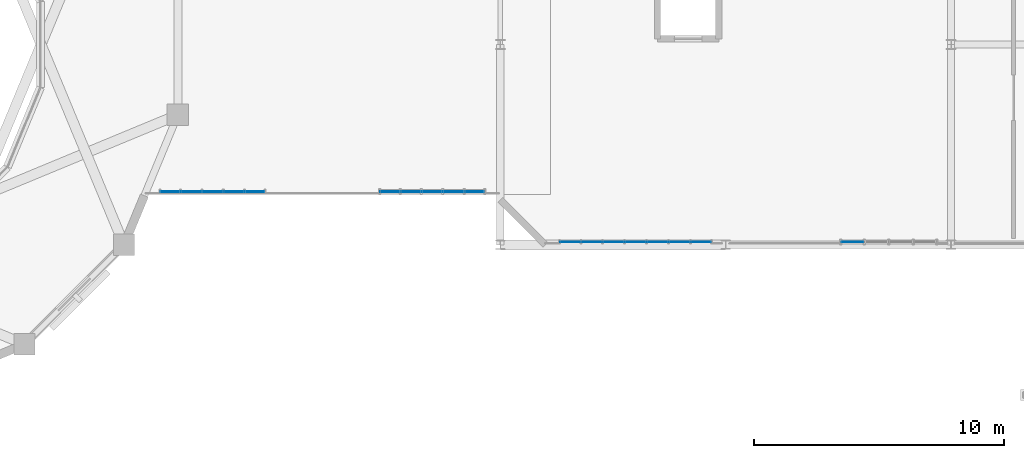
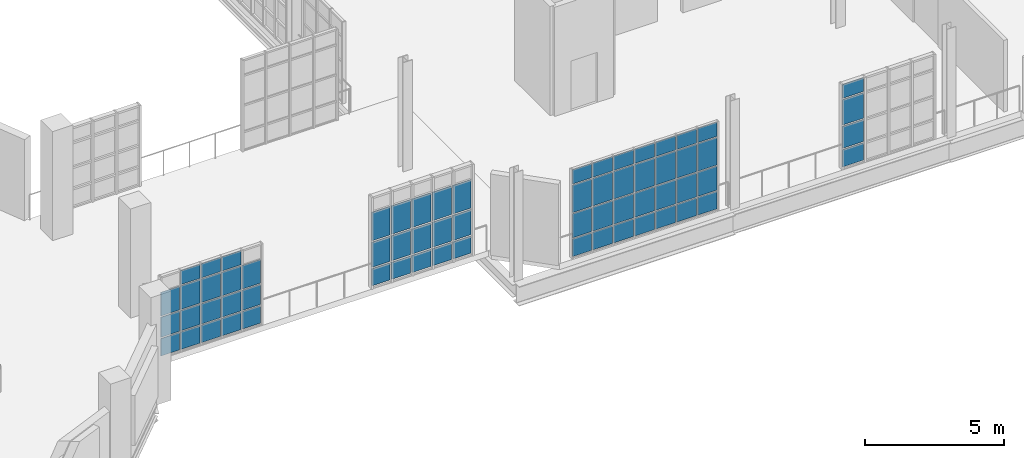
# One storey, part 79 of 122: 65 plates, 4 elements without a shape of their own.
"""IFC4 building model written with IfcOpenShell, lengths in metres."""

from ifc_helpers import new_model, si_unit, direction, frame, origin, origin_2d, place, context, subcontext, project, spatial, rectangle, extrude, material, layer, layer_set, type_object, element, aggregate, save


model = new_model("IFC4")

# Units and contexts
model_context = context("Model", 3, precision=1e-05, world=origin(), true_north=direction((0.0, 1.0)))
body_context = subcontext(model_context, "Body", "Model", "MODEL_VIEW")
ifc_project = project(units=[si_unit("LENGTHUNIT", "METRE"), si_unit("AREAUNIT", "SQUARE_METRE"), si_unit("VOLUMEUNIT", "CUBIC_METRE"), si_unit("PLANEANGLEUNIT", "RADIAN"), si_unit("MASSUNIT", "GRAM", prefix="KILO"), si_unit("THERMODYNAMICTEMPERATUREUNIT", "KELVIN"), si_unit("POWERUNIT", "WATT")], contexts=[model_context])

# Site, building, storey
site_placement = place(None, origin())
site = spatial("IfcSite", under=ifc_project, at=site_placement, CompositionType="ELEMENT")
building_placement = place(site_placement, origin())
building = spatial("IfcBuilding", under=site, at=building_placement, Name="Zelmaris Science Centre", CompositionType="ELEMENT")
storey_placement = place(building_placement, frame((0.0, 0.0, 10.800048828125)))
storey = spatial("IfcBuildingStorey", under=building, at=storey_placement, Name="L02", CompositionType="ELEMENT", Elevation=10.800048828125)

# Curtain wall, plates
ifc_material_1 = material(Name="Anodised architectural aluminium 6063-T6", Category="aluminium")
ifc_layer_1 = layer(ifc_material_1, 0.18994140625, Name="Anodised architectural aluminium 6063-T6")
ifc_layer_set_1 = layer_set([ifc_layer_1], Name="Anodised architectural aluminium 6063-T6")
curtain_wall_type_1 = type_object("IfcCurtainWallType", Name="Curtain Wall CW-01", PredefinedType="USERDEFINED", material=ifc_layer_set_1)
curtain_wall_1_placement = place(storey_placement, origin())
curtain_wall_1 = element("IfcCurtainWall", 1, at=curtain_wall_1_placement, inside=storey, type_object=curtain_wall_type_1, Name="L02 Unitised curtain wall 257", ObjectType="GLAZED CURTAIN WALL", PredefinedType="USERDEFINED")
ifc_material_2 = material(Name="Laminated hurricane-rated low-E insulated glazing", Category="glass")
ifc_layer_2 = layer(ifc_material_2, 0.031982421875, Name="Laminated hurricane-rated low-E insulated glazing")
ifc_layer_set_2 = layer_set([ifc_layer_2], Name="Laminated hurricane-rated low-E insulated glazing")
plate_type_1 = type_object("IfcPlateType", Name="Curtain Glazing Panel CWP-1 32mm", PredefinedType="CURTAIN_PANEL", material=ifc_layer_set_2)
plate_1_placement = place(storey_placement, frame((52.961669921875, 66.11962890625, 0.05712890625), z_axis=(0.0, 0.0, 1.0), x_axis=(-1.0, 0.0, 0.0)))
plate_1 = element("IfcPlate", 2, at=plate_1_placement, type_object=plate_type_1, Name="CW-01 panel 1.1", PredefinedType="CURTAIN_PANEL", context=body_context, shape_type="SweptSolid", body=[
    extrude(rectangle(XDim=0.74462890625, YDim=0.031982421875, at=origin_2d()), origin(), (0.0, 0.0, 1.0), 0.741943359375),
])
plate_2_placement = place(storey_placement, frame((52.961669921875, 66.11962890625, 0.87109375), z_axis=(0.0, 0.0, 1.0), x_axis=(-1.0, 0.0, 0.0)))
plate_2 = element("IfcPlate", 3, at=plate_2_placement, type_object=plate_type_1, Name="CW-01 panel 1.2", PredefinedType="CURTAIN_PANEL", context=body_context, shape_type="SweptSolid", body=[
    extrude(rectangle(XDim=0.74462890625, YDim=0.031982421875, at=origin_2d()), origin(), (0.0, 0.0, 1.0), 1.095458984375),
])
plate_3_placement = place(storey_placement, frame((52.961669921875, 66.11962890625, 2.038330078125), z_axis=(0.0, 0.0, 1.0), x_axis=(-1.0, 0.0, 0.0)))
plate_3 = element("IfcPlate", 4, at=plate_3_placement, type_object=plate_type_1, Name="CW-01 panel 1.3", PredefinedType="CURTAIN_PANEL", context=body_context, shape_type="SweptSolid", body=[
    extrude(rectangle(XDim=0.74462890625, YDim=0.031982421875, at=origin_2d()), origin(), (0.0, 0.0, 1.0), 1.24560546875),
])
plate_4_placement = place(storey_placement, frame((52.126953125, 66.11962890625, 0.05712890625), z_axis=(0.0, 0.0, 1.0), x_axis=(-1.0, 0.0, 0.0)))
plate_4 = element("IfcPlate", 5, at=plate_4_placement, type_object=plate_type_1, Name="CW-01 panel 2.1", PredefinedType="CURTAIN_PANEL", context=body_context, shape_type="SweptSolid", body=[
    extrude(rectangle(XDim=0.78076171875, YDim=0.031982421875, at=origin_2d()), origin(), (0.0, 0.0, 1.0), 0.741943359375),
])
plate_5_placement = place(storey_placement, frame((52.126953125, 66.11962890625, 0.87109375), z_axis=(0.0, 0.0, 1.0), x_axis=(-1.0, 0.0, 0.0)))
plate_5 = element("IfcPlate", 6, at=plate_5_placement, type_object=plate_type_1, Name="CW-01 panel 2.2", PredefinedType="CURTAIN_PANEL", context=body_context, shape_type="SweptSolid", body=[
    extrude(rectangle(XDim=0.78076171875, YDim=0.031982421875, at=origin_2d()), origin(), (0.0, 0.0, 1.0), 1.095458984375),
])
plate_6_placement = place(storey_placement, frame((52.126953125, 66.11962890625, 2.038330078125), z_axis=(0.0, 0.0, 1.0), x_axis=(-1.0, 0.0, 0.0)))
plate_6 = element("IfcPlate", 7, at=plate_6_placement, type_object=plate_type_1, Name="CW-01 panel 2.3", PredefinedType="CURTAIN_PANEL", context=body_context, shape_type="SweptSolid", body=[
    extrude(rectangle(XDim=0.78076171875, YDim=0.031982421875, at=origin_2d()), origin(), (0.0, 0.0, 1.0), 1.24560546875),
])
plate_7_placement = place(storey_placement, frame((51.274169921875, 66.11962890625, 0.05712890625), z_axis=(0.0, 0.0, 1.0), x_axis=(-1.0, 0.0, 0.0)))
plate_7 = element("IfcPlate", 8, at=plate_7_placement, type_object=plate_type_1, Name="CW-01 panel 3.1", PredefinedType="CURTAIN_PANEL", context=body_context, shape_type="SweptSolid", body=[
    extrude(rectangle(XDim=0.78076171875, YDim=0.031982421875, at=origin_2d()), origin(), (0.0, 0.0, 1.0), 0.741943359375),
])
plate_8_placement = place(storey_placement, frame((51.274169921875, 66.11962890625, 0.87109375), z_axis=(0.0, 0.0, 1.0), x_axis=(-1.0, 0.0, 0.0)))
plate_8 = element("IfcPlate", 9, at=plate_8_placement, type_object=plate_type_1, Name="CW-01 panel 3.2", PredefinedType="CURTAIN_PANEL", context=body_context, shape_type="SweptSolid", body=[
    extrude(rectangle(XDim=0.78076171875, YDim=0.031982421875, at=origin_2d()), origin(), (0.0, 0.0, 1.0), 1.095458984375),
])
plate_9_placement = place(storey_placement, frame((51.274169921875, 66.11962890625, 2.038330078125), z_axis=(0.0, 0.0, 1.0), x_axis=(-1.0, 0.0, 0.0)))
plate_9 = element("IfcPlate", 10, at=plate_9_placement, type_object=plate_type_1, Name="CW-01 panel 3.3", PredefinedType="CURTAIN_PANEL", context=body_context, shape_type="SweptSolid", body=[
    extrude(rectangle(XDim=0.78076171875, YDim=0.031982421875, at=origin_2d()), origin(), (0.0, 0.0, 1.0), 1.24560546875),
])
plate_10_placement = place(storey_placement, frame((50.421630859375, 66.11962890625, 0.05712890625), z_axis=(0.0, 0.0, 1.0), x_axis=(-1.0, 0.0, 0.0)))
plate_10 = element("IfcPlate", 11, at=plate_10_placement, type_object=plate_type_1, Name="CW-01 panel 4.1", PredefinedType="CURTAIN_PANEL", context=body_context, shape_type="SweptSolid", body=[
    extrude(rectangle(XDim=0.78076171875, YDim=0.031982421875, at=origin_2d()), origin(), (0.0, 0.0, 1.0), 0.741943359375),
])
plate_11_placement = place(storey_placement, frame((50.421630859375, 66.11962890625, 0.87109375), z_axis=(0.0, 0.0, 1.0), x_axis=(-1.0, 0.0, 0.0)))
plate_11 = element("IfcPlate", 12, at=plate_11_placement, type_object=plate_type_1, Name="CW-01 panel 4.2", PredefinedType="CURTAIN_PANEL", context=body_context, shape_type="SweptSolid", body=[
    extrude(rectangle(XDim=0.78076171875, YDim=0.031982421875, at=origin_2d()), origin(), (0.0, 0.0, 1.0), 1.095458984375),
])
plate_12_placement = place(storey_placement, frame((50.421630859375, 66.11962890625, 2.038330078125), z_axis=(0.0, 0.0, 1.0), x_axis=(-1.0, 0.0, 0.0)))
plate_12 = element("IfcPlate", 13, at=plate_12_placement, type_object=plate_type_1, Name="CW-01 panel 4.3", PredefinedType="CURTAIN_PANEL", context=body_context, shape_type="SweptSolid", body=[
    extrude(rectangle(XDim=0.78076171875, YDim=0.031982421875, at=origin_2d()), origin(), (0.0, 0.0, 1.0), 1.24560546875),
])
plate_13_placement = place(storey_placement, frame((49.5869140625, 66.11962890625, 0.05712890625), z_axis=(0.0, 0.0, 1.0), x_axis=(-1.0, 0.0, 0.0)))
plate_13 = element("IfcPlate", 14, at=plate_13_placement, type_object=plate_type_1, Name="CW-01 panel 5.1", PredefinedType="CURTAIN_PANEL", context=body_context, shape_type="SweptSolid", body=[
    extrude(rectangle(XDim=0.74462890625, YDim=0.031982421875, at=origin_2d()), origin(), (0.0, 0.0, 1.0), 0.741943359375),
])
plate_14_placement = place(storey_placement, frame((49.5869140625, 66.11962890625, 0.87109375), z_axis=(0.0, 0.0, 1.0), x_axis=(-1.0, 0.0, 0.0)))
plate_14 = element("IfcPlate", 15, at=plate_14_placement, type_object=plate_type_1, Name="CW-01 panel 5.2", PredefinedType="CURTAIN_PANEL", context=body_context, shape_type="SweptSolid", body=[
    extrude(rectangle(XDim=0.74462890625, YDim=0.031982421875, at=origin_2d()), origin(), (0.0, 0.0, 1.0), 1.095458984375),
])
plate_15_placement = place(storey_placement, frame((49.5869140625, 66.11962890625, 2.038330078125), z_axis=(0.0, 0.0, 1.0), x_axis=(-1.0, 0.0, 0.0)))
plate_15 = element("IfcPlate", 16, at=plate_15_placement, type_object=plate_type_1, Name="CW-01 panel 5.3", PredefinedType="CURTAIN_PANEL", context=body_context, shape_type="SweptSolid", body=[
    extrude(rectangle(XDim=0.74462890625, YDim=0.031982421875, at=origin_2d()), origin(), (0.0, 0.0, 1.0), 1.24560546875),
])
aggregate(curtain_wall_1, [plate_1, plate_2, plate_3, plate_4, plate_5, plate_6, plate_7, plate_8, plate_9, plate_10, plate_11, plate_12, plate_13, plate_14, plate_15])

ifc_layer_3 = layer(ifc_material_1, 0.199951171875, Name="Anodised architectural aluminium 6063-T6")
ifc_layer_set_3 = layer_set([ifc_layer_3], Name="Anodised architectural aluminium 6063-T6")
curtain_wall_type_2 = type_object("IfcCurtainWallType", Name="Curtain Wall CW-02", PredefinedType="USERDEFINED", material=ifc_layer_set_3)
curtain_wall_2_placement = place(storey_placement, origin())
curtain_wall_2 = element("IfcCurtainWall", 17, at=curtain_wall_2_placement, inside=storey, type_object=curtain_wall_type_2, Name="L02 Unitised curtain wall 254", ObjectType="GLAZED CURTAIN WALL", PredefinedType="USERDEFINED")
ifc_layer_4 = layer(ifc_material_2, 0.028076171875, Name="Laminated hurricane-rated low-E insulated glazing")
ifc_layer_set_4 = layer_set([ifc_layer_4], Name="Laminated hurricane-rated low-E insulated glazing")
plate_type_2 = type_object("IfcPlateType", Name="Curtain Glazing Panel CWP-2 28mm", PredefinedType="CURTAIN_PANEL", material=ifc_layer_set_4)
plate_16_placement = place(storey_placement, frame((68.064208984375, 64.1171875, 0.052001953125), z_axis=(0.0, 0.0, 1.0), x_axis=(-0.999999973373, 0.000230769229, 0.0)))
plate_16 = element("IfcPlate", 18, at=plate_16_placement, type_object=plate_type_2, Name="CW-02 panel 4.1", PredefinedType="CURTAIN_PANEL", context=body_context, shape_type="SweptSolid", body=[
    extrude(rectangle(XDim=0.87451171875, YDim=0.028076171875, at=origin_2d()), origin(), (0.0, 0.0, 1.0), 0.74951171875),
])
plate_17_placement = place(storey_placement, frame((68.064208984375, 64.1171875, 0.868408203125), z_axis=(0.0, 0.0, 1.0), x_axis=(-0.999999973373, 0.000230769229, 0.0)))
plate_17 = element("IfcPlate", 19, at=plate_17_placement, type_object=plate_type_2, Name="CW-02 panel 4.2", PredefinedType="CURTAIN_PANEL", context=body_context, shape_type="SweptSolid", body=[
    extrude(rectangle(XDim=0.87451171875, YDim=0.028076171875, at=origin_2d()), origin(), (0.0, 0.0, 1.0), 0.9580078125),
])
plate_18_placement = place(storey_placement, frame((68.064208984375, 64.1171875, 1.8935546875), z_axis=(0.0, 0.0, 1.0), x_axis=(-0.999999973373, 0.000230769229, 0.0)))
plate_18 = element("IfcPlate", 20, at=plate_18_placement, type_object=plate_type_2, Name="CW-02 panel 4.3", PredefinedType="CURTAIN_PANEL", context=body_context, shape_type="SweptSolid", body=[
    extrude(rectangle(XDim=0.87451171875, YDim=0.028076171875, at=origin_2d()), origin(), (0.0, 0.0, 1.0), 1.10791015625),
])
plate_19_placement = place(storey_placement, frame((68.064208984375, 64.1171875, 3.068359375), z_axis=(0.0, 0.0, 1.0), x_axis=(-0.999999973373, 0.000230769229, 0.0)))
plate_19 = element("IfcPlate", 21, at=plate_19_placement, type_object=plate_type_2, Name="CW-02 panel 4.4", PredefinedType="CURTAIN_PANEL", context=body_context, shape_type="SweptSolid", body=[
    extrude(rectangle(XDim=0.87451171875, YDim=0.028076171875, at=origin_2d()), origin(), (0.0, 0.0, 1.0), 0.599609375),
])
aggregate(curtain_wall_2, [plate_16, plate_17, plate_18, plate_19])

ifc_layer_5 = layer(ifc_material_1, 0.2099609375, Name="Anodised architectural aluminium 6063-T6")
ifc_layer_set_5 = layer_set([ifc_layer_5], Name="Anodised architectural aluminium 6063-T6")
curtain_wall_type_3 = type_object("IfcCurtainWallType", Name="Curtain Wall CW-03", PredefinedType="USERDEFINED", material=ifc_layer_set_5)
curtain_wall_3_placement = place(storey_placement, origin())
curtain_wall_3 = element("IfcCurtainWall", 22, at=curtain_wall_3_placement, inside=storey, type_object=curtain_wall_type_3, Name="L02 Unitised curtain wall 259", ObjectType="GLAZED CURTAIN WALL", PredefinedType="USERDEFINED")
ifc_layer_6 = layer(ifc_material_2, 0.02587890625, Name="Laminated hurricane-rated low-E insulated glazing")
ifc_layer_set_6 = layer_set([ifc_layer_6], Name="Laminated hurricane-rated low-E insulated glazing")
plate_type_3 = type_object("IfcPlateType", Name="Curtain Glazing Panel CWP-3 26mm", PredefinedType="CURTAIN_PANEL", material=ifc_layer_set_6)
plate_20_placement = place(storey_placement, frame((44.19873046875, 66.11962890625, 0.0419921875), z_axis=(0.0, 0.0, 1.0), x_axis=(-1.0, 0.0, 0.0)))
plate_20 = element("IfcPlate", 23, at=plate_20_placement, type_object=plate_type_3, Name="CW-03 panel 1.1", PredefinedType="CURTAIN_PANEL", context=body_context, shape_type="SweptSolid", body=[
    extrude(rectangle(XDim=0.76708984375, YDim=0.02587890625, at=origin_2d()), origin(), (0.0, 0.0, 1.0), 0.764404296875),
])
plate_21_placement = place(storey_placement, frame((44.19873046875, 66.11962890625, 0.86328125), z_axis=(0.0, 0.0, 1.0), x_axis=(-1.0, 0.0, 0.0)))
plate_21 = element("IfcPlate", 24, at=plate_21_placement, type_object=plate_type_3, Name="CW-03 panel 1.2", PredefinedType="CURTAIN_PANEL", context=body_context, shape_type="SweptSolid", body=[
    extrude(rectangle(XDim=0.76708984375, YDim=0.02587890625, at=origin_2d()), origin(), (0.0, 0.0, 1.0), 0.883056640625),
])
plate_22_placement = place(storey_placement, frame((44.19873046875, 66.11962890625, 1.8037109375), z_axis=(0.0, 0.0, 1.0), x_axis=(-1.0, 0.0, 0.0)))
plate_22 = element("IfcPlate", 25, at=plate_22_placement, type_object=plate_type_3, Name="CW-03 panel 1.3", PredefinedType="CURTAIN_PANEL", context=body_context, shape_type="SweptSolid", body=[
    extrude(rectangle(XDim=0.76708984375, YDim=0.02587890625, at=origin_2d()), origin(), (0.0, 0.0, 1.0), 1.032958984375),
])
plate_23_placement = place(storey_placement, frame((43.360107421875, 66.11962890625, 0.0419921875), z_axis=(0.0, 0.0, 1.0), x_axis=(-1.0, 0.0, 0.0)))
plate_23 = element("IfcPlate", 26, at=plate_23_placement, type_object=plate_type_3, Name="CW-03 panel 2.1", PredefinedType="CURTAIN_PANEL", context=body_context, shape_type="SweptSolid", body=[
    extrude(rectangle(XDim=0.795654296875, YDim=0.02587890625, at=origin_2d()), origin(), (0.0, 0.0, 1.0), 0.764404296875),
])
plate_24_placement = place(storey_placement, frame((43.360107421875, 66.11962890625, 0.86328125), z_axis=(0.0, 0.0, 1.0), x_axis=(-1.0, 0.0, 0.0)))
plate_24 = element("IfcPlate", 27, at=plate_24_placement, type_object=plate_type_3, Name="CW-03 panel 2.2", PredefinedType="CURTAIN_PANEL", context=body_context, shape_type="SweptSolid", body=[
    extrude(rectangle(XDim=0.795654296875, YDim=0.02587890625, at=origin_2d()), origin(), (0.0, 0.0, 1.0), 0.883056640625),
])
plate_25_placement = place(storey_placement, frame((43.360107421875, 66.11962890625, 1.8037109375), z_axis=(0.0, 0.0, 1.0), x_axis=(-1.0, 0.0, 0.0)))
plate_25 = element("IfcPlate", 28, at=plate_25_placement, type_object=plate_type_3, Name="CW-03 panel 2.3", PredefinedType="CURTAIN_PANEL", context=body_context, shape_type="SweptSolid", body=[
    extrude(rectangle(XDim=0.795654296875, YDim=0.02587890625, at=origin_2d()), origin(), (0.0, 0.0, 1.0), 1.032958984375),
])
plate_26_placement = place(storey_placement, frame((43.360107421875, 66.11962890625, 2.8935546875), z_axis=(0.0, 0.0, 1.0), x_axis=(-1.0, 0.0, 0.0)))
plate_26 = element("IfcPlate", 29, at=plate_26_placement, type_object=plate_type_3, Name="CW-03 panel 2.4", PredefinedType="CURTAIN_PANEL", context=body_context, shape_type="SweptSolid", body=[
    extrude(rectangle(XDim=0.795654296875, YDim=0.02587890625, at=origin_2d()), origin(), (0.0, 0.0, 1.0), 0.614501953125),
])
plate_27_placement = place(storey_placement, frame((42.507568359375, 66.11962890625, 0.0419921875), z_axis=(0.0, 0.0, 1.0), x_axis=(-1.0, 0.0, 0.0)))
plate_27 = element("IfcPlate", 30, at=plate_27_placement, type_object=plate_type_3, Name="CW-03 panel 3.1", PredefinedType="CURTAIN_PANEL", context=body_context, shape_type="SweptSolid", body=[
    extrude(rectangle(XDim=0.795654296875, YDim=0.02587890625, at=origin_2d()), origin(), (0.0, 0.0, 1.0), 0.764404296875),
])
plate_28_placement = place(storey_placement, frame((42.507568359375, 66.11962890625, 0.86328125), z_axis=(0.0, 0.0, 1.0), x_axis=(-1.0, 0.0, 0.0)))
plate_28 = element("IfcPlate", 31, at=plate_28_placement, type_object=plate_type_3, Name="CW-03 panel 3.2", PredefinedType="CURTAIN_PANEL", context=body_context, shape_type="SweptSolid", body=[
    extrude(rectangle(XDim=0.795654296875, YDim=0.02587890625, at=origin_2d()), origin(), (0.0, 0.0, 1.0), 0.883056640625),
])
plate_29_placement = place(storey_placement, frame((42.507568359375, 66.11962890625, 1.8037109375), z_axis=(0.0, 0.0, 1.0), x_axis=(-1.0, 0.0, 0.0)))
plate_29 = element("IfcPlate", 32, at=plate_29_placement, type_object=plate_type_3, Name="CW-03 panel 3.3", PredefinedType="CURTAIN_PANEL", context=body_context, shape_type="SweptSolid", body=[
    extrude(rectangle(XDim=0.795654296875, YDim=0.02587890625, at=origin_2d()), origin(), (0.0, 0.0, 1.0), 1.032958984375),
])
plate_30_placement = place(storey_placement, frame((42.507568359375, 66.11962890625, 2.8935546875), z_axis=(0.0, 0.0, 1.0), x_axis=(-1.0, 0.0, 0.0)))
plate_30 = element("IfcPlate", 33, at=plate_30_placement, type_object=plate_type_3, Name="CW-03 panel 3.4", PredefinedType="CURTAIN_PANEL", context=body_context, shape_type="SweptSolid", body=[
    extrude(rectangle(XDim=0.795654296875, YDim=0.02587890625, at=origin_2d()), origin(), (0.0, 0.0, 1.0), 0.614501953125),
])
plate_31_placement = place(storey_placement, frame((41.65478515625, 66.11962890625, 0.0419921875), z_axis=(0.0, 0.0, 1.0), x_axis=(-1.0, 0.0, 0.0)))
plate_31 = element("IfcPlate", 34, at=plate_31_placement, type_object=plate_type_3, Name="CW-03 panel 4.1", PredefinedType="CURTAIN_PANEL", context=body_context, shape_type="SweptSolid", body=[
    extrude(rectangle(XDim=0.795654296875, YDim=0.02587890625, at=origin_2d()), origin(), (0.0, 0.0, 1.0), 0.764404296875),
])
plate_32_placement = place(storey_placement, frame((41.65478515625, 66.11962890625, 0.86328125), z_axis=(0.0, 0.0, 1.0), x_axis=(-1.0, 0.0, 0.0)))
plate_32 = element("IfcPlate", 35, at=plate_32_placement, type_object=plate_type_3, Name="CW-03 panel 4.2", PredefinedType="CURTAIN_PANEL", context=body_context, shape_type="SweptSolid", body=[
    extrude(rectangle(XDim=0.795654296875, YDim=0.02587890625, at=origin_2d()), origin(), (0.0, 0.0, 1.0), 0.883056640625),
])
plate_33_placement = place(storey_placement, frame((41.65478515625, 66.11962890625, 1.8037109375), z_axis=(0.0, 0.0, 1.0), x_axis=(-1.0, 0.0, 0.0)))
plate_33 = element("IfcPlate", 36, at=plate_33_placement, type_object=plate_type_3, Name="CW-03 panel 4.3", PredefinedType="CURTAIN_PANEL", context=body_context, shape_type="SweptSolid", body=[
    extrude(rectangle(XDim=0.795654296875, YDim=0.02587890625, at=origin_2d()), origin(), (0.0, 0.0, 1.0), 1.032958984375),
])
plate_34_placement = place(storey_placement, frame((41.65478515625, 66.11962890625, 2.8935546875), z_axis=(0.0, 0.0, 1.0), x_axis=(-1.0, 0.0, 0.0)))
plate_34 = element("IfcPlate", 37, at=plate_34_placement, type_object=plate_type_3, Name="CW-03 panel 4.4", PredefinedType="CURTAIN_PANEL", context=body_context, shape_type="SweptSolid", body=[
    extrude(rectangle(XDim=0.795654296875, YDim=0.02587890625, at=origin_2d()), origin(), (0.0, 0.0, 1.0), 0.614501953125),
])
plate_35_placement = place(storey_placement, frame((40.81640625, 66.11962890625, 0.0419921875), z_axis=(0.0, 0.0, 1.0), x_axis=(-1.0, 0.0, 0.0)))
plate_35 = element("IfcPlate", 38, at=plate_35_placement, type_object=plate_type_3, Name="CW-03 panel 5.1", PredefinedType="CURTAIN_PANEL", context=body_context, shape_type="SweptSolid", body=[
    extrude(rectangle(XDim=0.76708984375, YDim=0.02587890625, at=origin_2d()), origin(), (0.0, 0.0, 1.0), 0.764404296875),
])
plate_36_placement = place(storey_placement, frame((40.81640625, 66.11962890625, 0.86328125), z_axis=(0.0, 0.0, 1.0), x_axis=(-1.0, 0.0, 0.0)))
plate_36 = element("IfcPlate", 39, at=plate_36_placement, type_object=plate_type_3, Name="CW-03 panel 5.2", PredefinedType="CURTAIN_PANEL", context=body_context, shape_type="SweptSolid", body=[
    extrude(rectangle(XDim=0.76708984375, YDim=0.02587890625, at=origin_2d()), origin(), (0.0, 0.0, 1.0), 0.883056640625),
])
plate_37_placement = place(storey_placement, frame((40.81640625, 66.11962890625, 1.8037109375), z_axis=(0.0, 0.0, 1.0), x_axis=(-1.0, 0.0, 0.0)))
plate_37 = element("IfcPlate", 40, at=plate_37_placement, type_object=plate_type_3, Name="CW-03 panel 5.3", PredefinedType="CURTAIN_PANEL", context=body_context, shape_type="SweptSolid", body=[
    extrude(rectangle(XDim=0.76708984375, YDim=0.02587890625, at=origin_2d()), origin(), (0.0, 0.0, 1.0), 1.032958984375),
])
aggregate(curtain_wall_3, [plate_20, plate_21, plate_22, plate_23, plate_24, plate_25, plate_26, plate_27, plate_28, plate_29, plate_30, plate_31, plate_32, plate_33, plate_34, plate_35, plate_36, plate_37])

ifc_layer_7 = layer(ifc_material_1, 0.219970703125, Name="Anodised architectural aluminium 6063-T6")
ifc_layer_set_7 = layer_set([ifc_layer_7], Name="Anodised architectural aluminium 6063-T6")
curtain_wall_type_4 = type_object("IfcCurtainWallType", Name="Curtain Wall CW-04", PredefinedType="USERDEFINED", material=ifc_layer_set_7)
curtain_wall_4_placement = place(storey_placement, origin())
curtain_wall_4 = element("IfcCurtainWall", 41, at=curtain_wall_4_placement, inside=storey, type_object=curtain_wall_type_4, Name="L02 Unitised curtain wall 256", ObjectType="GLAZED CURTAIN WALL", PredefinedType="USERDEFINED")
ifc_layer_8 = layer(ifc_material_2, 0.02392578125, Name="Laminated hurricane-rated low-E insulated glazing")
ifc_layer_set_8 = layer_set([ifc_layer_8], Name="Laminated hurricane-rated low-E insulated glazing")
plate_type_4 = type_object("IfcPlateType", Name="Curtain Glazing Panel CWP-4 24mm", PredefinedType="CURTAIN_PANEL", material=ifc_layer_set_8)
plate_38_placement = place(storey_placement, frame((62.009765625, 64.11865234375, 0.036865234375), z_axis=(0.0, 0.0, 1.0), x_axis=(-0.999999973835, 0.000228758156, 0.0)))
plate_38 = element("IfcPlate", 42, at=plate_38_placement, type_object=plate_type_4, Name="CW-04 panel 1.1", PredefinedType="CURTAIN_PANEL", context=body_context, shape_type="SweptSolid", body=[
    extrude(rectangle(XDim=0.79638671875, YDim=0.02392578125, at=origin_2d()), origin(), (0.0, 0.0, 1.0), 0.77197265625),
])
plate_39_placement = place(storey_placement, frame((62.009765625, 64.11865234375, 0.86083984375), z_axis=(0.0, 0.0, 1.0), x_axis=(-0.999999973835, 0.000228758156, 0.0)))
plate_39 = element("IfcPlate", 43, at=plate_39_placement, type_object=plate_type_4, Name="CW-04 panel 1.2", PredefinedType="CURTAIN_PANEL", context=body_context, shape_type="SweptSolid", body=[
    extrude(rectangle(XDim=0.79638671875, YDim=0.02392578125, at=origin_2d()), origin(), (0.0, 0.0, 1.0), 1.056884765625),
])
plate_40_placement = place(storey_placement, frame((62.009765625, 64.11865234375, 1.969970703125), z_axis=(0.0, 0.0, 1.0), x_axis=(-0.999999973835, 0.000228758156, 0.0)))
plate_40 = element("IfcPlate", 44, at=plate_40_placement, type_object=plate_type_4, Name="CW-04 panel 1.3", PredefinedType="CURTAIN_PANEL", context=body_context, shape_type="SweptSolid", body=[
    extrude(rectangle(XDim=0.79638671875, YDim=0.02392578125, at=origin_2d()), origin(), (0.0, 0.0, 1.0), 1.20703125),
])
plate_41_placement = place(storey_placement, frame((62.009765625, 64.11865234375, 3.22900390625), z_axis=(0.0, 0.0, 1.0), x_axis=(-0.999999973835, 0.000228758156, 0.0)))
plate_41 = element("IfcPlate", 45, at=plate_41_placement, type_object=plate_type_4, Name="CW-04 panel 1.4", PredefinedType="CURTAIN_PANEL", context=body_context, shape_type="SweptSolid", body=[
    extrude(rectangle(XDim=0.79638671875, YDim=0.02392578125, at=origin_2d()), origin(), (0.0, 0.0, 1.0), 0.6220703125),
])
plate_42_placement = place(storey_placement, frame((61.148681640625, 64.118896484375, 0.036865234375), z_axis=(0.0, 0.0, 1.0), x_axis=(-0.999999973835, 0.000228758156, 0.0)))
plate_42 = element("IfcPlate", 46, at=plate_42_placement, type_object=plate_type_4, Name="CW-04 panel 2.1", PredefinedType="CURTAIN_PANEL", context=body_context, shape_type="SweptSolid", body=[
    extrude(rectangle(XDim=0.822265625, YDim=0.02392578125, at=origin_2d()), origin(), (0.0, 0.0, 1.0), 0.77197265625),
])
plate_43_placement = place(storey_placement, frame((61.148681640625, 64.118896484375, 0.86083984375), z_axis=(0.0, 0.0, 1.0), x_axis=(-0.999999973835, 0.000228758156, 0.0)))
plate_43 = element("IfcPlate", 47, at=plate_43_placement, type_object=plate_type_4, Name="CW-04 panel 2.2", PredefinedType="CURTAIN_PANEL", context=body_context, shape_type="SweptSolid", body=[
    extrude(rectangle(XDim=0.822265625, YDim=0.02392578125, at=origin_2d()), origin(), (0.0, 0.0, 1.0), 1.056884765625),
])
plate_44_placement = place(storey_placement, frame((61.148681640625, 64.118896484375, 1.969970703125), z_axis=(0.0, 0.0, 1.0), x_axis=(-0.999999973835, 0.000228758156, 0.0)))
plate_44 = element("IfcPlate", 48, at=plate_44_placement, type_object=plate_type_4, Name="CW-04 panel 2.3", PredefinedType="CURTAIN_PANEL", context=body_context, shape_type="SweptSolid", body=[
    extrude(rectangle(XDim=0.822265625, YDim=0.02392578125, at=origin_2d()), origin(), (0.0, 0.0, 1.0), 1.20703125),
])
plate_45_placement = place(storey_placement, frame((61.148681640625, 64.118896484375, 3.22900390625), z_axis=(0.0, 0.0, 1.0), x_axis=(-0.999999973835, 0.000228758156, 0.0)))
plate_45 = element("IfcPlate", 49, at=plate_45_placement, type_object=plate_type_4, Name="CW-04 panel 2.4", PredefinedType="CURTAIN_PANEL", context=body_context, shape_type="SweptSolid", body=[
    extrude(rectangle(XDim=0.822265625, YDim=0.02392578125, at=origin_2d()), origin(), (0.0, 0.0, 1.0), 0.6220703125),
])
plate_46_placement = place(storey_placement, frame((60.274169921875, 64.118896484375, 0.036865234375), z_axis=(0.0, 0.0, 1.0), x_axis=(-0.999999973835, 0.000228758156, 0.0)))
plate_46 = element("IfcPlate", 50, at=plate_46_placement, type_object=plate_type_4, Name="CW-04 panel 3.1", PredefinedType="CURTAIN_PANEL", context=body_context, shape_type="SweptSolid", body=[
    extrude(rectangle(XDim=0.822265625, YDim=0.02392578125, at=origin_2d()), origin(), (0.0, 0.0, 1.0), 0.77197265625),
])
plate_47_placement = place(storey_placement, frame((60.274169921875, 64.118896484375, 0.86083984375), z_axis=(0.0, 0.0, 1.0), x_axis=(-0.999999973835, 0.000228758156, 0.0)))
plate_47 = element("IfcPlate", 51, at=plate_47_placement, type_object=plate_type_4, Name="CW-04 panel 3.2", PredefinedType="CURTAIN_PANEL", context=body_context, shape_type="SweptSolid", body=[
    extrude(rectangle(XDim=0.822265625, YDim=0.02392578125, at=origin_2d()), origin(), (0.0, 0.0, 1.0), 1.056884765625),
])
plate_48_placement = place(storey_placement, frame((60.274169921875, 64.118896484375, 1.969970703125), z_axis=(0.0, 0.0, 1.0), x_axis=(-0.999999973835, 0.000228758156, 0.0)))
plate_48 = element("IfcPlate", 52, at=plate_48_placement, type_object=plate_type_4, Name="CW-04 panel 3.3", PredefinedType="CURTAIN_PANEL", context=body_context, shape_type="SweptSolid", body=[
    extrude(rectangle(XDim=0.822265625, YDim=0.02392578125, at=origin_2d()), origin(), (0.0, 0.0, 1.0), 1.20703125),
])
plate_49_placement = place(storey_placement, frame((60.274169921875, 64.118896484375, 3.22900390625), z_axis=(0.0, 0.0, 1.0), x_axis=(-0.999999973835, 0.000228758156, 0.0)))
plate_49 = element("IfcPlate", 53, at=plate_49_placement, type_object=plate_type_4, Name="CW-04 panel 3.4", PredefinedType="CURTAIN_PANEL", context=body_context, shape_type="SweptSolid", body=[
    extrude(rectangle(XDim=0.822265625, YDim=0.02392578125, at=origin_2d()), origin(), (0.0, 0.0, 1.0), 0.6220703125),
])
plate_50_placement = place(storey_placement, frame((59.39990234375, 64.119140625, 0.036865234375), z_axis=(0.0, 0.0, 1.0), x_axis=(-0.999999973835, 0.000228758156, 0.0)))
plate_50 = element("IfcPlate", 54, at=plate_50_placement, type_object=plate_type_4, Name="CW-04 panel 4.1", PredefinedType="CURTAIN_PANEL", context=body_context, shape_type="SweptSolid", body=[
    extrude(rectangle(XDim=0.822265625, YDim=0.02392578125, at=origin_2d()), origin(), (0.0, 0.0, 1.0), 0.77197265625),
])
plate_51_placement = place(storey_placement, frame((59.39990234375, 64.119140625, 0.86083984375), z_axis=(0.0, 0.0, 1.0), x_axis=(-0.999999973835, 0.000228758156, 0.0)))
plate_51 = element("IfcPlate", 55, at=plate_51_placement, type_object=plate_type_4, Name="CW-04 panel 4.2", PredefinedType="CURTAIN_PANEL", context=body_context, shape_type="SweptSolid", body=[
    extrude(rectangle(XDim=0.822265625, YDim=0.02392578125, at=origin_2d()), origin(), (0.0, 0.0, 1.0), 1.056884765625),
])
plate_52_placement = place(storey_placement, frame((59.39990234375, 64.119140625, 1.969970703125), z_axis=(0.0, 0.0, 1.0), x_axis=(-0.999999973835, 0.000228758156, 0.0)))
plate_52 = element("IfcPlate", 56, at=plate_52_placement, type_object=plate_type_4, Name="CW-04 panel 4.3", PredefinedType="CURTAIN_PANEL", context=body_context, shape_type="SweptSolid", body=[
    extrude(rectangle(XDim=0.822265625, YDim=0.02392578125, at=origin_2d()), origin(), (0.0, 0.0, 1.0), 1.20703125),
])
plate_53_placement = place(storey_placement, frame((59.39990234375, 64.119140625, 3.22900390625), z_axis=(0.0, 0.0, 1.0), x_axis=(-0.999999973835, 0.000228758156, 0.0)))
plate_53 = element("IfcPlate", 57, at=plate_53_placement, type_object=plate_type_4, Name="CW-04 panel 4.4", PredefinedType="CURTAIN_PANEL", context=body_context, shape_type="SweptSolid", body=[
    extrude(rectangle(XDim=0.822265625, YDim=0.02392578125, at=origin_2d()), origin(), (0.0, 0.0, 1.0), 0.6220703125),
])
plate_54_placement = place(storey_placement, frame((58.525634765625, 64.119384765625, 0.036865234375), z_axis=(0.0, 0.0, 1.0), x_axis=(-0.999999973835, 0.000228758156, 0.0)))
plate_54 = element("IfcPlate", 58, at=plate_54_placement, type_object=plate_type_4, Name="CW-04 panel 5.1", PredefinedType="CURTAIN_PANEL", context=body_context, shape_type="SweptSolid", body=[
    extrude(rectangle(XDim=0.822265625, YDim=0.02392578125, at=origin_2d()), origin(), (0.0, 0.0, 1.0), 0.77197265625),
])
plate_55_placement = place(storey_placement, frame((58.525634765625, 64.119384765625, 0.86083984375), z_axis=(0.0, 0.0, 1.0), x_axis=(-0.999999973835, 0.000228758156, 0.0)))
plate_55 = element("IfcPlate", 59, at=plate_55_placement, type_object=plate_type_4, Name="CW-04 panel 5.2", PredefinedType="CURTAIN_PANEL", context=body_context, shape_type="SweptSolid", body=[
    extrude(rectangle(XDim=0.822265625, YDim=0.02392578125, at=origin_2d()), origin(), (0.0, 0.0, 1.0), 1.056884765625),
])
plate_56_placement = place(storey_placement, frame((58.525634765625, 64.119384765625, 1.969970703125), z_axis=(0.0, 0.0, 1.0), x_axis=(-0.999999973835, 0.000228758156, 0.0)))
plate_56 = element("IfcPlate", 60, at=plate_56_placement, type_object=plate_type_4, Name="CW-04 panel 5.3", PredefinedType="CURTAIN_PANEL", context=body_context, shape_type="SweptSolid", body=[
    extrude(rectangle(XDim=0.822265625, YDim=0.02392578125, at=origin_2d()), origin(), (0.0, 0.0, 1.0), 1.20703125),
])
plate_57_placement = place(storey_placement, frame((58.525634765625, 64.119384765625, 3.22900390625), z_axis=(0.0, 0.0, 1.0), x_axis=(-0.999999973835, 0.000228758156, 0.0)))
plate_57 = element("IfcPlate", 61, at=plate_57_placement, type_object=plate_type_4, Name="CW-04 panel 5.4", PredefinedType="CURTAIN_PANEL", context=body_context, shape_type="SweptSolid", body=[
    extrude(rectangle(XDim=0.822265625, YDim=0.02392578125, at=origin_2d()), origin(), (0.0, 0.0, 1.0), 0.6220703125),
])
plate_58_placement = place(storey_placement, frame((57.6513671875, 64.11962890625, 0.036865234375), z_axis=(0.0, 0.0, 1.0), x_axis=(-0.999999973835, 0.000228758156, 0.0)))
plate_58 = element("IfcPlate", 62, at=plate_58_placement, type_object=plate_type_4, Name="CW-04 panel 6.1", PredefinedType="CURTAIN_PANEL", context=body_context, shape_type="SweptSolid", body=[
    extrude(rectangle(XDim=0.822265625, YDim=0.02392578125, at=origin_2d()), origin(), (0.0, 0.0, 1.0), 0.77197265625),
])
plate_59_placement = place(storey_placement, frame((57.6513671875, 64.11962890625, 0.86083984375), z_axis=(0.0, 0.0, 1.0), x_axis=(-0.999999973835, 0.000228758156, 0.0)))
plate_59 = element("IfcPlate", 63, at=plate_59_placement, type_object=plate_type_4, Name="CW-04 panel 6.2", PredefinedType="CURTAIN_PANEL", context=body_context, shape_type="SweptSolid", body=[
    extrude(rectangle(XDim=0.822265625, YDim=0.02392578125, at=origin_2d()), origin(), (0.0, 0.0, 1.0), 1.056884765625),
])
plate_60_placement = place(storey_placement, frame((57.6513671875, 64.11962890625, 1.969970703125), z_axis=(0.0, 0.0, 1.0), x_axis=(-0.999999973835, 0.000228758156, 0.0)))
plate_60 = element("IfcPlate", 64, at=plate_60_placement, type_object=plate_type_4, Name="CW-04 panel 6.3", PredefinedType="CURTAIN_PANEL", context=body_context, shape_type="SweptSolid", body=[
    extrude(rectangle(XDim=0.822265625, YDim=0.02392578125, at=origin_2d()), origin(), (0.0, 0.0, 1.0), 1.20703125),
])
plate_61_placement = place(storey_placement, frame((57.6513671875, 64.11962890625, 3.22900390625), z_axis=(0.0, 0.0, 1.0), x_axis=(-0.999999973835, 0.000228758156, 0.0)))
plate_61 = element("IfcPlate", 65, at=plate_61_placement, type_object=plate_type_4, Name="CW-04 panel 6.4", PredefinedType="CURTAIN_PANEL", context=body_context, shape_type="SweptSolid", body=[
    extrude(rectangle(XDim=0.822265625, YDim=0.02392578125, at=origin_2d()), origin(), (0.0, 0.0, 1.0), 0.6220703125),
])
plate_62_placement = place(storey_placement, frame((56.7900390625, 64.119873046875, 0.036865234375), z_axis=(0.0, 0.0, 1.0), x_axis=(-0.999999973835, 0.000228758156, 0.0)))
plate_62 = element("IfcPlate", 66, at=plate_62_placement, type_object=plate_type_4, Name="CW-04 panel 7.1", PredefinedType="CURTAIN_PANEL", context=body_context, shape_type="SweptSolid", body=[
    extrude(rectangle(XDim=0.79638671875, YDim=0.02392578125, at=origin_2d()), origin(), (0.0, 0.0, 1.0), 0.77197265625),
])
plate_63_placement = place(storey_placement, frame((56.7900390625, 64.119873046875, 0.86083984375), z_axis=(0.0, 0.0, 1.0), x_axis=(-0.999999973835, 0.000228758156, 0.0)))
plate_63 = element("IfcPlate", 67, at=plate_63_placement, type_object=plate_type_4, Name="CW-04 panel 7.2", PredefinedType="CURTAIN_PANEL", context=body_context, shape_type="SweptSolid", body=[
    extrude(rectangle(XDim=0.79638671875, YDim=0.02392578125, at=origin_2d()), origin(), (0.0, 0.0, 1.0), 1.056884765625),
])
plate_64_placement = place(storey_placement, frame((56.7900390625, 64.119873046875, 1.969970703125), z_axis=(0.0, 0.0, 1.0), x_axis=(-0.999999973835, 0.000228758156, 0.0)))
plate_64 = element("IfcPlate", 68, at=plate_64_placement, type_object=plate_type_4, Name="CW-04 panel 7.3", PredefinedType="CURTAIN_PANEL", context=body_context, shape_type="SweptSolid", body=[
    extrude(rectangle(XDim=0.79638671875, YDim=0.02392578125, at=origin_2d()), origin(), (0.0, 0.0, 1.0), 1.20703125),
])
plate_65_placement = place(storey_placement, frame((56.7900390625, 64.119873046875, 3.22900390625), z_axis=(0.0, 0.0, 1.0), x_axis=(-0.999999973835, 0.000228758156, 0.0)))
plate_65 = element("IfcPlate", 69, at=plate_65_placement, type_object=plate_type_4, Name="CW-04 panel 7.4", PredefinedType="CURTAIN_PANEL", context=body_context, shape_type="SweptSolid", body=[
    extrude(rectangle(XDim=0.79638671875, YDim=0.02392578125, at=origin_2d()), origin(), (0.0, 0.0, 1.0), 0.6220703125),
])
aggregate(curtain_wall_4, [plate_38, plate_39, plate_40, plate_41, plate_42, plate_43, plate_44, plate_45, plate_46, plate_47, plate_48, plate_49, plate_50, plate_51, plate_52, plate_53, plate_54, plate_55, plate_56, plate_57, plate_58, plate_59, plate_60, plate_61, plate_62, plate_63, plate_64, plate_65])

save(model, "model.ifc")
